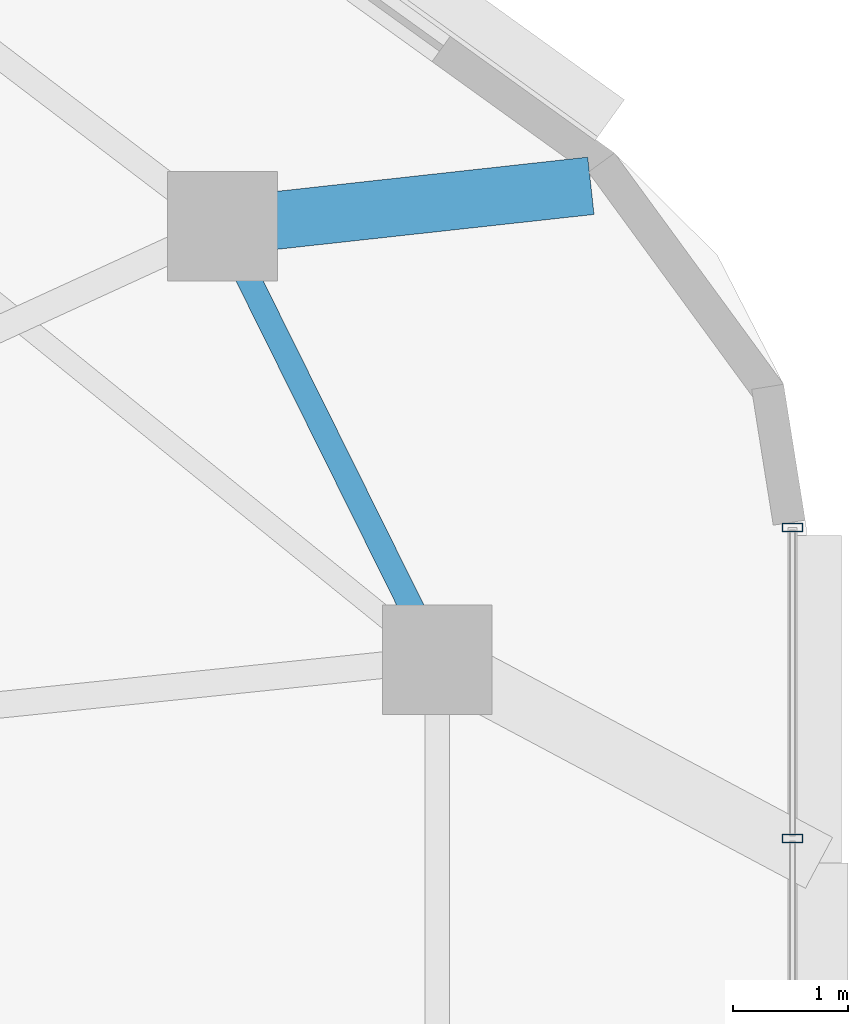
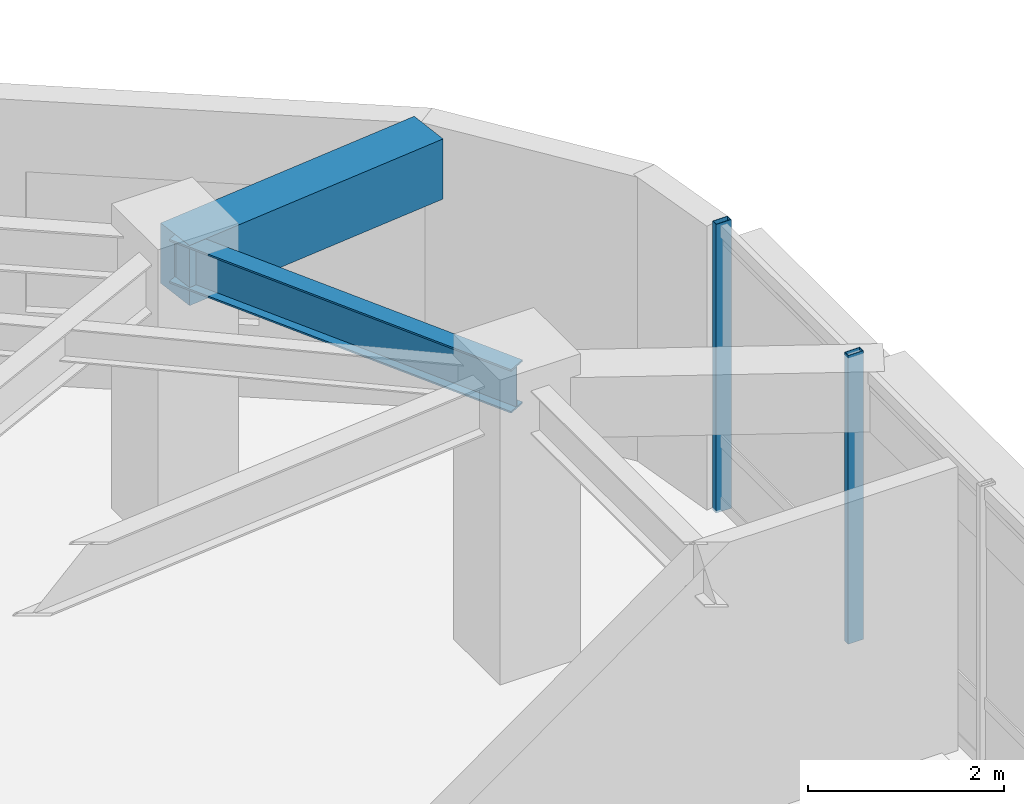
# One storey, part 7 of 14: 2 beams, 2 members, 1 element without a shape of its own.
"""IFC4 building model written with IfcOpenShell, lengths in metres."""

import ifcopenshell
import ifcopenshell.guid

model = None  # the IFC model being written
_history = None  # IfcOwnerHistory: only IFC2X3 demands one
_inside = {}  # id of a spatial element -> (the spatial element, [elements in it])
_under = {}  # id of a project, library or spatial element -> (it, [spatial elements below it])
_declared = {}  # id of a project -> (the project, [libraries it declares])
_typed = {}  # id of a type object -> (the type object, [elements of that type])
_made_of = {}  # id of a material, layer set ... -> (it, [elements and type objects made of it])


def new_model(schema):
    """Start an empty IFC model of exactly this schema.

    Asked for "IFC4X3", IfcOpenShell would pick the latest addendum, in which some entities
    have other attributes; the version numbers below select the first issue.
    IFC2X3 requires an IfcOwnerHistory on every rooted entity: one is made here for all.
    """
    global model, _history
    if schema == "IFC4X3":
        model = ifcopenshell.file(schema_version=(4, 3, 0, 0))
    else:
        model = ifcopenshell.file(schema=schema)
    _inside.clear()
    _under.clear()
    _declared.clear()
    _typed.clear()
    _made_of.clear()
    _history = None
    if model.schema == "IFC2X3":
        org = make("IfcOrganization", Name="unknown")
        user = make(
            "IfcPersonAndOrganization",
            ThePerson=make("IfcPerson", FamilyName="unknown"),
            TheOrganization=org,
        )
        app = make(
            "IfcApplication",
            ApplicationDeveloper=org,
            Version="unknown",
            ApplicationFullName="unknown",
            ApplicationIdentifier="unknown",
        )
        _history = make(
            "IfcOwnerHistory",
            OwningUser=user,
            OwningApplication=app,
            ChangeAction="ADDED",
            CreationDate=0,
        )
    return model


def make(cls, **values):
    """One entity of the class cls with the attributes given. An attribute that is None is left unset."""
    return model.create_entity(
        cls, **{name: value for name, value in values.items() if value is not None}
    )


def rooted(cls, **values):
    """An entity with a GlobalId (a new one), such as an element, a storey or a relation."""
    return make(cls, GlobalId=ifcopenshell.guid.new(), OwnerHistory=_history, **values)


def si_unit(unit_type, name, prefix=None):
    """IfcSIUnit, for example si_unit("LENGTHUNIT", "METRE", prefix="MILLI")."""
    return make("IfcSIUnit", UnitType=unit_type, Prefix=prefix, Name=name)


def assignment(units):
    """IfcUnitAssignment: the units of a project."""
    return None if units is None else make("IfcUnitAssignment", Units=units)


def point(xyz):
    """IfcCartesianPoint."""
    return None if xyz is None else make("IfcCartesianPoint", Coordinates=xyz)


def direction(xyz):
    """IfcDirection."""
    return None if xyz is None else make("IfcDirection", DirectionRatios=xyz)


def frame(location, z_axis=None, x_axis=None):
    """IfcAxis2Placement3D, a coordinate frame: its origin and axes. An axis left out is left unset."""
    return make(
        "IfcAxis2Placement3D",
        Location=point(location),
        Axis=direction(z_axis),
        RefDirection=direction(x_axis),
    )


def frame_2d(location, x_axis=None):
    """IfcAxis2Placement2D, a coordinate frame in the plane: its origin and x axis."""
    return make(
        "IfcAxis2Placement2D", Location=point(location), RefDirection=direction(x_axis)
    )


def origin():
    """The frame at (0, 0, 0) with its axes left unset."""
    return frame((0.0, 0.0, 0.0))


def origin_2d():
    """The frame at (0, 0) in the plane with its x axis left unset."""
    return frame_2d((0.0, 0.0))


def place(relative_to, where):
    """IfcLocalPlacement: puts the frame where relative to a parent placement (None: the world)."""
    return make(
        "IfcLocalPlacement", PlacementRelTo=relative_to, RelativePlacement=where
    )


def context(
    kind, dimensions, precision=None, world=None, true_north=None, identifier=None
):
    """IfcGeometricRepresentationContext, for example the 3D "Model" context."""
    return make(
        "IfcGeometricRepresentationContext",
        ContextIdentifier=identifier,
        ContextType=kind,
        CoordinateSpaceDimension=dimensions,
        Precision=precision,
        WorldCoordinateSystem=world,
        TrueNorth=true_north,
    )


def subcontext(parent, identifier, kind, view, scale=None):
    """IfcGeometricRepresentationSubContext, for example "Body" below "Model"."""
    return make(
        "IfcGeometricRepresentationSubContext",
        ContextIdentifier=identifier,
        ContextType=kind,
        ParentContext=parent,
        TargetScale=scale,
        TargetView=view,
    )


def project(units=None, contexts=None):
    """IfcProject with its units and contexts."""
    return rooted(
        "IfcProject",
        Name="project",
        RepresentationContexts=contexts,
        UnitsInContext=assignment(units),
    )


def spatial(cls, under=None, at=None, **own):
    """A site, building, storey or space (cls), placed at a placement, below another one or the project."""
    s = rooted(cls, ObjectPlacement=at, **own)
    if under is not None:
        _under.setdefault(under.id(), (under, []))[1].append(s)
    return s


def profile(cls, at=None, kind="AREA", **sizes):
    """A parametric profile (cls). Its sizes go by their IFC names, for example OverallWidth=200.0."""
    return make(cls, ProfileType=kind, Position=at, **sizes)


def rectangle(**sizes):
    """IfcRectangleProfileDef."""
    return profile("IfcRectangleProfileDef", **sizes)


def hollow_rectangle(**sizes):
    """IfcRectangleHollowProfileDef."""
    return profile("IfcRectangleHollowProfileDef", **sizes)


def i_section(**sizes):
    """IfcIShapeProfileDef."""
    return profile("IfcIShapeProfileDef", **sizes)


def extrude(swept, where, along, depth):
    """IfcExtrudedAreaSolid: the profile swept, set in the frame where, extruded along a direction by depth."""
    return make(
        "IfcExtrudedAreaSolid",
        SweptArea=swept,
        Position=where,
        ExtrudedDirection=direction(along),
        Depth=depth,
    )


def shape(context_of_items, identifier, shape_type, items):
    """IfcShapeRepresentation: the items that make up one representation, for example the "Body"."""
    return make(
        "IfcShapeRepresentation",
        ContextOfItems=context_of_items,
        RepresentationIdentifier=identifier,
        RepresentationType=shape_type,
        Items=items,
    )


def material(Name=None, Category=None):
    """IfcMaterial."""
    return make("IfcMaterial", Name=Name, Category=Category)


def material_profile(
    of_material, cross_section, Name=None, Category=None, Priority=None
):
    """IfcMaterialProfile: a cross section and its material."""
    return make(
        "IfcMaterialProfile",
        Name=Name,
        Material=of_material,
        Profile=cross_section,
        Priority=Priority,
        Category=Category,
    )


def profile_set(profiles, Name=None, composite=None):
    """IfcMaterialProfileSet."""
    return make(
        "IfcMaterialProfileSet",
        Name=Name,
        MaterialProfiles=profiles,
        CompositeProfile=composite,
    )


def made_of(thing, what):
    """Note that an element or type object is made of a material, layer set ...; save() writes the relation."""
    if what is not None:
        _made_of.setdefault(what.id(), (what, []))[1].append(thing)
    return thing


def type_object(cls, material=None, **own):
    """A type object (cls), such as IfcWallType, which elements share."""
    return made_of(rooted(cls, **own), material)


def element(
    cls,
    number,
    at=None,
    inside=None,
    cuts=None,
    type_object=None,
    material=None,
    context=None,
    identifier="Body",
    shape_type=None,
    held_by="IfcProductDefinitionShape",
    body=None,
    shapes=None,
    **own,
):
    """One element of the class cls, such as IfcWall. Its Tag is "e" and its number.

    at: its placement. inside: the storey or other place that contains it. cuts: it is an
    opening in that element (IfcRelVoidsElement). A single representation is given by context,
    identifier, shape_type and body (its items); several are given by shapes. held_by: the class
    of the entity that holds the representations. save() writes the other relations.
    """
    e = rooted(cls, Tag="e%d" % number, ObjectPlacement=at, **own)
    if body is not None:
        shapes = [shape(context, identifier, shape_type, body)]
    if shapes is not None:
        e.Representation = make(held_by, Representations=shapes)
    if inside is not None:
        _inside.setdefault(inside.id(), (inside, []))[1].append(e)
    if cuts is not None:
        rooted(
            "IfcRelVoidsElement", RelatingBuildingElement=cuts, RelatedOpeningElement=e
        )
    if type_object is not None:
        _typed.setdefault(type_object.id(), (type_object, []))[1].append(e)
    return made_of(e, material)


def aggregate(whole, parts):
    """IfcRelAggregates: a whole, such as a stair, and the parts it consists of."""
    return rooted("IfcRelAggregates", RelatingObject=whole, RelatedObjects=parts)


def save(model, path):
    """Write the relations noted so far, then the file.

    IfcRelAggregates (storeys below a building ...), IfcRelContainedInSpatialStructure (elements
    in a storey), IfcRelDefinesByType, IfcRelAssociatesMaterial and IfcRelDeclares: one each for
    every whole, place, type object, material and project.
    """
    for whole, parts in _under.values():
        aggregate(whole, parts)
    for where, things in _inside.values():
        rooted(
            "IfcRelContainedInSpatialStructure",
            RelatedElements=things,
            RelatingStructure=where,
        )
    for kind, things in _typed.values():
        rooted("IfcRelDefinesByType", RelatedObjects=things, RelatingType=kind)
    for what, things in _made_of.values():
        rooted("IfcRelAssociatesMaterial", RelatedObjects=things, RelatingMaterial=what)
    for by, libraries in _declared.values():
        rooted("IfcRelDeclares", RelatingContext=by, RelatedDefinitions=libraries)
    model.write(path)


model = new_model("IFC4")

# Units and contexts
model_context = context("Model", 3, precision=1e-05, world=origin(), true_north=direction((0.0, 1.0)))
body_context = subcontext(model_context, "Body", "Model", "MODEL_VIEW")
ifc_project = project(units=[si_unit("LENGTHUNIT", "METRE"), si_unit("AREAUNIT", "SQUARE_METRE"), si_unit("VOLUMEUNIT", "CUBIC_METRE"), si_unit("PLANEANGLEUNIT", "RADIAN"), si_unit("MASSUNIT", "GRAM", prefix="KILO")], contexts=[model_context])

# Site, building, storey
site_placement = place(None, origin())
site = spatial("IfcSite", under=ifc_project, at=site_placement, CompositionType="ELEMENT")
building_placement = place(site_placement, origin())
building = spatial("IfcBuilding", under=site, at=building_placement, Name="Zulverin Broadcast Headquarters", CompositionType="ELEMENT")
storey_placement = place(building_placement, frame((0.0, 0.0, 201.0)))
storey = spatial("IfcBuildingStorey", under=building, at=storey_placement, Name="L51", CompositionType="ELEMENT", Elevation=201.0)

# Beams
ifc_material_1 = material(Name="Concrete C40/50", Category="concrete")
ifc_material_profile_1 = material_profile(ifc_material_1, rectangle(XDim=0.5, YDim=0.75, at=origin_2d()), Name="Concrete C40/50", Category="concrete")
ifc_profile_set_1 = profile_set([ifc_material_profile_1], Name="Concrete C40/50")
beam_type_1 = type_object("IfcBeamType", Name="BM-RC-500x750", PredefinedType="BEAM", material=ifc_profile_set_1)
beam_1_placement = place(storey_placement, frame((58.738037109375, 37.877685546875, 3.1650390625), z_axis=(0.994004521098, 0.109338977669, 0.0), x_axis=(-0.109338977669, 0.994004521098, 0.0)))
element("IfcBeam", 1, at=beam_1_placement, inside=storey, type_object=beam_type_1, Name="L52 Plate Overhang Back-Spanned Beam OVR-07", PredefinedType="BEAM", context=body_context, shape_type="SweptSolid", body=[
    extrude(rectangle(XDim=0.5, YDim=0.75, at=origin_2d()), origin(), (0.0, 0.0, 1.0), 3.213134765625),
])
ifc_material_2 = material(Name="Structural steel S355JR", Category="steel")
ifc_material_profile_2 = material_profile(ifc_material_2, i_section(OverallWidth=0.2119140625, OverallDepth=0.54443359375, WebThickness=0.0126953125, FlangeThickness=0.021240234375, at=origin_2d()), Name="Structural steel S355JR", Category="steel")
ifc_profile_set_2 = profile_set([ifc_material_profile_2], Name="Structural steel S355JR")
beam_type_2 = type_object("IfcBeamType", Name="BM-UB-533", PredefinedType="SPANDREL", material=ifc_profile_set_2)
beam_2_placement = place(storey_placement, frame((60.60009765625, 34.12158203125, 3.267578125), z_axis=(-0.444159471033, 0.895947746407, 0.0), x_axis=(-0.895947746407, -0.444159471033, 0.0)))
element("IfcBeam", 2, at=beam_2_placement, inside=storey, type_object=beam_type_2, Name="L51 Perimeter Spandrel Beam SP-06", PredefinedType="SPANDREL", context=body_context, shape_type="SweptSolid", body=[
    extrude(i_section(OverallWidth=0.2119140625, OverallDepth=0.54443359375, WebThickness=0.0126953125, FlangeThickness=0.021240234375, at=origin_2d()), origin(), (0.0, 0.0, 1.0), 4.1923828125),
])

# Curtain wall, members
ifc_material_3 = material(Name="Waist wind-pressure unitised curtain wall", Category="aluminium")
curtain_wall_type = type_object("IfcCurtainWallType", Name="CW-TWR-WST", PredefinedType="USERDEFINED", material=ifc_material_3)
curtain_wall_placement = place(storey_placement, origin())
curtain_wall = element("IfcCurtainWall", 3, at=curtain_wall_placement, inside=storey, type_object=curtain_wall_type, Name="L51 Unitised Curtain Wall CW-L51-E3", ObjectType="UNITISED CURTAIN WALL", PredefinedType="USERDEFINED")
ifc_material_4 = material(Name="Anodized pale-metal aluminium alloy 6063-T6", Category="aluminium")
ifc_material_profile_3 = material_profile(ifc_material_4, hollow_rectangle(XDim=0.074951171875, YDim=0.179931640625, WallThickness=0.0048828125, at=origin_2d()), Name="Anodized pale-metal aluminium alloy 6063-T6", Category="aluminium")
ifc_profile_set_3 = profile_set([ifc_material_profile_3], Name="Anodized pale-metal aluminium alloy 6063-T6")
member_type = type_object("IfcMemberType", Name="CW-MUL-180", PredefinedType="MULLION", material=ifc_profile_set_3)
member_1_placement = place(storey_placement, frame((63.679931640625, 32.569580078125, -0.030029296875), z_axis=(0.0, 0.0, 1.0), x_axis=(0.0, 1.0, 0.0)))
member_1 = element("IfcMember", 4, at=member_1_placement, type_object=member_type, Name="CW-L51-E3 Mullion 06", PredefinedType="MULLION", context=body_context, shape_type="SweptSolid", body=[
    extrude(hollow_rectangle(XDim=0.074951171875, YDim=0.179931640625, WallThickness=0.0048828125, at=origin_2d()), origin(), (0.0, 0.0, 1.0), 3.60009765625),
])
member_2_placement = place(storey_placement, frame((63.679931640625, 35.26611328125, -0.030029296875), z_axis=(0.0, 0.0, 1.0), x_axis=(0.0, 1.0, 0.0)))
member_2 = element("IfcMember", 5, at=member_2_placement, type_object=member_type, Name="CW-L51-E3 Mullion 07", PredefinedType="MULLION", context=body_context, shape_type="SweptSolid", body=[
    extrude(hollow_rectangle(XDim=0.074951171875, YDim=0.179931640625, WallThickness=0.0048828125, at=origin_2d()), origin(), (0.0, 0.0, 1.0), 3.60009765625),
])
aggregate(curtain_wall, [member_1, member_2])

save(model, "model.ifc")
